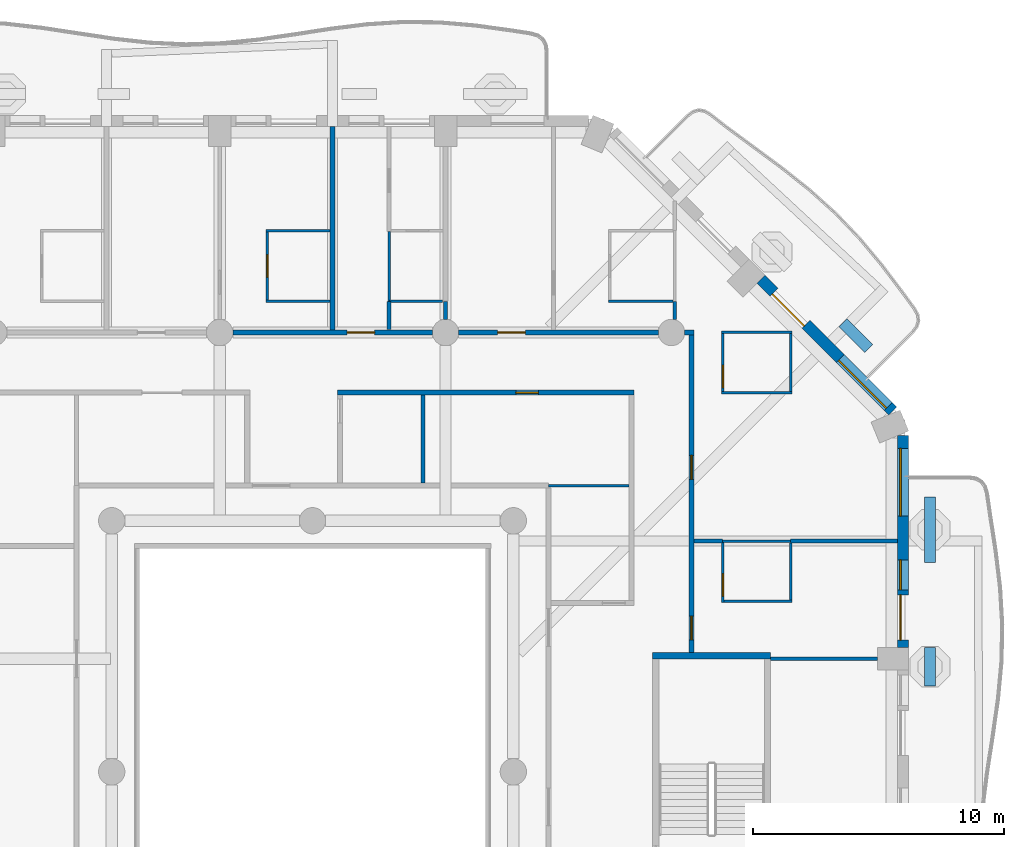
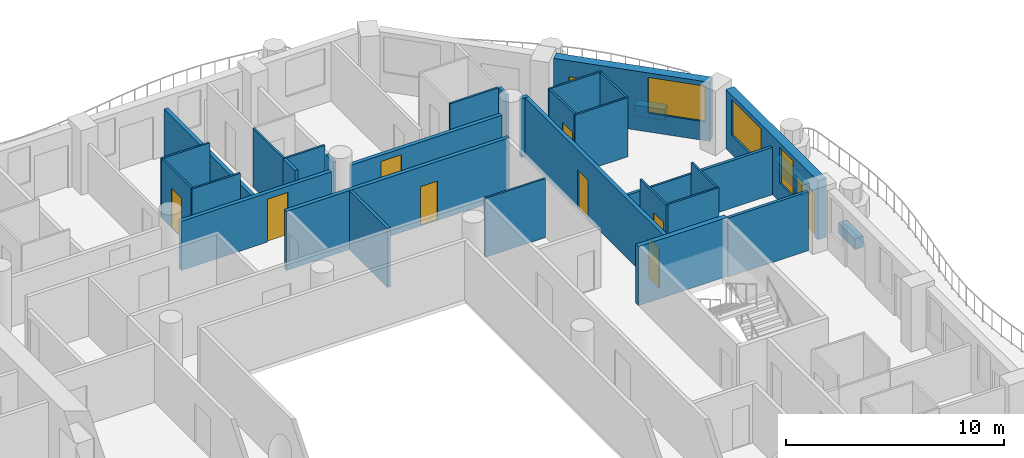
# One storey, part 9 of 20: 34 walls, 10 doors, 3 windows, 13 openings.
"""IFC4 building model written with IfcOpenShell, lengths in metres."""

from ifc_helpers import new_model, si_unit, direction, frame, frame_2d, origin, place, context, subcontext, project, spatial, rectangle, extrude, material, layer, layer_set, type_object, element, fill, save


model = new_model("IFC4")

# Units and contexts
model_context = context("Model", 3, precision=1e-05, world=origin(), true_north=direction((0.0, 1.0)))
body_context = subcontext(model_context, "Body", "Model", "MODEL_VIEW")
ifc_project = project(units=[si_unit("LENGTHUNIT", "METRE"), si_unit("AREAUNIT", "SQUARE_METRE"), si_unit("VOLUMEUNIT", "CUBIC_METRE"), si_unit("PLANEANGLEUNIT", "RADIAN"), si_unit("MASSUNIT", "GRAM", prefix="KILO")], contexts=[model_context])

# Site, building, storey
site_placement = place(None, origin())
site = spatial("IfcSite", under=ifc_project, at=site_placement, CompositionType="ELEMENT")
building_placement = place(site_placement, origin())
building = spatial("IfcBuilding", under=site, at=building_placement, Name="Cypress Arch Tower", CompositionType="ELEMENT")
storey_placement = place(building_placement, frame((0.0, 0.0, 134.699951171875)))
storey = spatial("IfcBuildingStorey", under=building, at=storey_placement, Name="L29", CompositionType="ELEMENT", Elevation=134.699951171875)

# Walls
ifc_material_1 = material(Name="Concrete C40/50, waterproofed", Category="concrete")
ifc_layer_1 = layer(ifc_material_1, 0.449951171875)
ifc_layer_set_1 = layer_set([ifc_layer_1], Name="Balcony planter wall PW450")
wall_type_1 = type_object("IfcWallType", Name="Balcony planter wall PW450", PredefinedType="SOLIDWALL", material=ifc_layer_set_1)
wall_1_placement = place(storey_placement, frame((25.60009765625, 3.42138671875, 0.0), z_axis=(0.0, 0.0, 1.0), x_axis=(0.0, 1.0, 0.0)))
element("IfcWall", 1, at=wall_1_placement, inside=storey, type_object=wall_type_1, Name="Balcony planter wall L29-A06.3", PredefinedType="SOLIDWALL", context=body_context, shape_type="SweptSolid", body=[
    extrude(rectangle(XDim=1.5224609375, YDim=0.449951171875, at=frame_2d((0.76123046875, 0.0))), origin(), (0.0, 0.0, 1.0), 0.60009765625),
])
wall_2_placement = place(storey_placement, frame((25.60009765625, 8.335693359375, 0.0), z_axis=(0.0, 0.0, 1.0), x_axis=(0.0, 1.0, 0.0)))
element("IfcWall", 2, at=wall_2_placement, inside=storey, type_object=wall_type_1, Name="Balcony planter wall L29-A06.4", PredefinedType="SOLIDWALL", context=body_context, shape_type="SweptSolid", body=[
    extrude(rectangle(XDim=2.6142578125, YDim=0.449951171875, at=frame_2d((1.30712890625, 0.0))), origin(), (0.0, 0.0, 1.0), 0.60009765625),
])
wall_3_placement = place(storey_placement, frame((23.150390625, 16.86376953125, 0.0), z_axis=(0.0, 0.0, 1.0), x_axis=(-0.707106781187, 0.707106781187, 0.0)))
element("IfcWall", 3, at=wall_3_placement, inside=storey, type_object=wall_type_1, Name="Balcony planter wall L29-A07.1", PredefinedType="SOLIDWALL", context=body_context, shape_type="SweptSolid", body=[
    extrude(rectangle(XDim=1.44482421875, YDim=0.449951171875, at=frame_2d((0.722412109375, 0.0))), origin(), (0.0, 0.0, 1.0), 0.60009765625),
])

# Wall, openings, door, windows
ifc_material_2 = material(Name="Brick (red buff blend)", Category="masonry")
ifc_layer_2 = layer(ifc_material_2, 0.449951171875)
ifc_layer_set_2 = layer_set([ifc_layer_2], Name="Brick pier and spandrel wall BW450")
wall_type_2 = type_object("IfcWallType", Name="Brick pier and spandrel wall BW450", PredefinedType="SOLIDWALL", material=ifc_layer_set_2)
wall_4_placement = place(storey_placement, frame((24.52490234375, 4.949951171875, 0.0), z_axis=(0.0, 0.0, 1.0), x_axis=(0.0, 1.0, 0.0)))
wall_4 = element("IfcWall", 4, at=wall_4_placement, inside=storey, type_object=wall_type_2, Name="Brick wall L29 A06.3", PredefinedType="SOLIDWALL", context=body_context, shape_type="SweptSolid", body=[
    extrude(rectangle(XDim=8.438720703125, YDim=0.449951171875, at=frame_2d((4.21923828125, 0.0))), origin(), (0.0, 0.0, 1.0), 3.300048828125),
])
opening_1_placement = place(wall_4_placement, frame((0.2939453125, 0.0, 0.0)))
opening_1 = element("IfcOpeningElement", 5, at=opening_1_placement, cuts=wall_4, Name="Opening D-L29-A06.3.1", PredefinedType="OPENING", context=body_context, shape_type="SweptSolid", body=[
    extrude(rectangle(XDim=1.800048828125, YDim=2.39990234375, at=frame_2d((0.89990234375, 1.199951171875))), frame((0.0, 0.23486328125, 0.0), z_axis=(0.0, -1.0, 0.0), x_axis=(1.0, 0.0, 0.0)), (0.0, 0.0, 1.0), 0.469970703125),
])
opening_2_placement = place(wall_4_placement, frame((2.2939453125, 0.0, 1.050048828125)))
opening_2 = element("IfcOpeningElement", 6, at=opening_2_placement, cuts=wall_4, Name="Opening W120HD", PredefinedType="OPENING", context=body_context, shape_type="SweptSolid", body=[
    extrude(rectangle(XDim=1.199951171875, YDim=2.0, at=frame_2d((0.60009765625, 1.0))), frame((0.0, 0.23486328125, 0.0), z_axis=(0.0, -1.0, 0.0), x_axis=(1.0, 0.0, 0.0)), (0.0, 0.0, 1.0), 0.469970703125),
])
opening_3_placement = place(wall_4_placement, frame((5.231689453125, 0.0, 1.050048828125)))
opening_3 = element("IfcOpeningElement", 7, at=opening_3_placement, cuts=wall_4, Name="Opening W270HD", PredefinedType="OPENING", context=body_context, shape_type="SweptSolid", body=[
    extrude(rectangle(XDim=2.699951171875, YDim=2.0, at=frame_2d((1.35009765625, 1.0))), frame((0.0, 0.23486328125, 0.0), z_axis=(0.0, -1.0, 0.0), x_axis=(1.0, 0.0, 0.0)), (0.0, 0.0, 1.0), 0.469970703125),
])
ifc_material_3 = material(Name="Anodised aluminium, bronze finish, laminated low-emissivity double glazing, large-missile impact rated", Category="aluminium")
door_type_1 = type_object("IfcDoorType", Name="Balcony sliding door 1800x2400", OperationType="SLIDING_TO_LEFT", PredefinedType="DOOR", material=ifc_material_3)
door_1_placement = place(opening_1_placement, origin())
door_1 = element("IfcDoor", 8, at=door_1_placement, inside=storey, type_object=door_type_1, Name="Balcony door L29 A06.3.1", OperationType="SLIDING_TO_LEFT", OverallHeight=2.39990234375, OverallWidth=1.800048828125, PredefinedType="DOOR", context=body_context, shape_type="SweptSolid", body=[
    extrude(rectangle(XDim=1.800048828125, YDim=2.39990234375, at=frame_2d((0.89990234375, 1.199951171875))), frame((0.0, 0.1298828125, 0.0), z_axis=(0.0, -1.0, 0.0), x_axis=(1.0, 0.0, 0.0)), (0.0, 0.0, 1.0), 0.050048828125),
])
fill(opening_1, door_1)
ifc_material_4 = material(Name="Anodised aluminium, bronze finish, laminated low-emissivity double glazing, large-missile impact rated", Category="aluminium")
window_type_1 = type_object("IfcWindowType", Name="Window Hotel 1200x2000 debris-rated", PartitioningType="SINGLE_PANEL", PredefinedType="WINDOW", material=ifc_material_4)
window_1_placement = place(opening_2_placement, origin())
window_1 = element("IfcWindow", 9, at=window_1_placement, inside=storey, type_object=window_type_1, Name="Window L29 A06.3.1", OverallHeight=2.0, OverallWidth=1.199951171875, PartitioningType="SINGLE_PANEL", PredefinedType="WINDOW", context=body_context, shape_type="SweptSolid", body=[
    extrude(rectangle(XDim=1.199951171875, YDim=2.0, at=frame_2d((0.60009765625, 1.0))), frame((0.0, 0.135009765625, 0.0), z_axis=(0.0, -1.0, 0.0), x_axis=(1.0, 0.0, 0.0)), (0.0, 0.0, 1.0), 0.06005859375),
])
fill(opening_2, window_1)
ifc_material_5 = material(Name="Anodised aluminium, bronze finish, laminated low-emissivity double glazing, large-missile impact rated", Category="aluminium")
window_type_2 = type_object("IfcWindowType", Name="Window Hotel 2700x2000 debris-rated", PartitioningType="SINGLE_PANEL", PredefinedType="WINDOW", material=ifc_material_5)
window_2_placement = place(opening_3_placement, origin())
window_2 = element("IfcWindow", 10, at=window_2_placement, inside=storey, type_object=window_type_2, Name="Window L29 A06.3.2", OverallHeight=2.0, OverallWidth=2.699951171875, PartitioningType="SINGLE_PANEL", PredefinedType="WINDOW", context=body_context, shape_type="SweptSolid", body=[
    extrude(rectangle(XDim=2.699951171875, YDim=2.0, at=frame_2d((1.35009765625, 1.0))), frame((0.0, 0.135009765625, 0.0), z_axis=(0.0, -1.0, 0.0), x_axis=(1.0, 0.0, 0.0)), (0.0, 0.0, 1.0), 0.06005859375),
])
fill(opening_3, window_2)

# Wall, openings, door, window
wall_5_placement = place(storey_placement, frame((24.11474609375, 14.379150390625, 0.0), z_axis=(0.0, 0.0, 1.0), x_axis=(-0.707106781187, 0.707106781187, 0.0)))
wall_5 = element("IfcWall", 11, at=wall_5_placement, inside=storey, type_object=wall_type_2, Name="Brick wall L29 A07.0", PredefinedType="SOLIDWALL", context=body_context, shape_type="SweptSolid", body=[
    extrude(rectangle(XDim=7.423828125, YDim=0.449951171875, at=frame_2d((3.7119140625, 0.0))), origin(), (0.0, 0.0, 1.0), 3.300048828125),
])
opening_4_placement = place(wall_5_placement, frame((0.253173828125, 0.0, 1.050048828125)))
opening_4 = element("IfcOpeningElement", 12, at=opening_4_placement, cuts=wall_5, Name="Opening W270HD", PredefinedType="OPENING", context=body_context, shape_type="SweptSolid", body=[
    extrude(rectangle(XDim=2.699951171875, YDim=2.0, at=frame_2d((1.35009765625, 1.0))), frame((0.0, 0.23486328125, 0.0), z_axis=(0.0, -1.0, 0.0), x_axis=(1.0, 0.0, 0.0)), (0.0, 0.0, 1.0), 0.469970703125),
])
opening_5_placement = place(wall_5_placement, frame((4.8837890625, 0.0, 0.0)))
opening_5 = element("IfcOpeningElement", 13, at=opening_5_placement, cuts=wall_5, Name="Opening D-L29-A07.0.2", PredefinedType="OPENING", context=body_context, shape_type="SweptSolid", body=[
    extrude(rectangle(XDim=1.800048828125, YDim=2.39990234375, at=frame_2d((0.89990234375, 1.199951171875))), frame((0.0, 0.23486328125, 0.0), z_axis=(0.0, -1.0, 0.0), x_axis=(1.0, 0.0, 0.0)), (0.0, 0.0, 1.0), 0.469970703125),
])
door_2_placement = place(opening_5_placement, origin())
door_2 = element("IfcDoor", 14, at=door_2_placement, inside=storey, type_object=door_type_1, Name="Balcony door L29 A07.0.2", OperationType="SLIDING_TO_LEFT", OverallHeight=2.39990234375, OverallWidth=1.800048828125, PredefinedType="DOOR", context=body_context, shape_type="SweptSolid", body=[
    extrude(rectangle(XDim=1.800048828125, YDim=2.39990234375, at=frame_2d((0.89990234375, 1.199951171875))), frame((0.0, 0.1298828125, 0.0), z_axis=(0.0, -1.0, 0.0), x_axis=(1.0, 0.0, 0.0)), (0.0, 0.0, 1.0), 0.050048828125),
])
fill(opening_5, door_2)
window_3_placement = place(opening_4_placement, origin())
window_3 = element("IfcWindow", 15, at=window_3_placement, inside=storey, type_object=window_type_2, Name="Window L29 A07.0.1", OverallHeight=2.0, OverallWidth=2.699951171875, PartitioningType="SINGLE_PANEL", PredefinedType="WINDOW", context=body_context, shape_type="SweptSolid", body=[
    extrude(rectangle(XDim=2.699951171875, YDim=2.0, at=frame_2d((1.35009765625, 1.0))), frame((0.0, 0.135009765625, 0.0), z_axis=(0.0, -1.0, 0.0), x_axis=(1.0, 0.0, 0.0)), (0.0, 0.0, 1.0), 0.06005859375),
])
fill(opening_4, window_3)

# Wall, opening, door
ifc_material_6 = material(Name="Concrete blockwork, plastered, rated", Category="masonry")
ifc_layer_3 = layer(ifc_material_6, 0.199951171875)
ifc_layer_set_3 = layer_set([ifc_layer_3], Name="Corridor wall FW200")
wall_type_3 = type_object("IfcWallType", Name="Corridor wall FW200", PredefinedType="PARTITIONING", material=ifc_layer_set_3)
wall_6_placement = place(storey_placement, frame((-2.175048828125, 17.5, 0.0), z_axis=(0.0, 0.0, 1.0), x_axis=(1.0, 0.0, 0.0)))
wall_6 = element("IfcWall", 16, at=wall_6_placement, inside=storey, type_object=wall_type_3, Name="Corridor wall", PredefinedType="PARTITIONING", context=body_context, shape_type="SweptSolid", body=[
    extrude(rectangle(XDim=7.949951171875, YDim=0.199951171875, at=frame_2d((3.97509765625, 0.0))), origin(), (0.0, 0.0, 1.0), 2.75),
])
opening_6_placement = place(wall_6_placement, frame((4.550048828125, 0.0, 0.0)))
opening_6 = element("IfcOpeningElement", 17, at=opening_6_placement, cuts=wall_6, Name="Opening D01", PredefinedType="OPENING", context=body_context, shape_type="SweptSolid", body=[
    extrude(rectangle(XDim=1.10009765625, YDim=2.39990234375, at=frame_2d((0.550048828125, 1.199951171875))), frame((0.0, 0.10986328125, 0.0), z_axis=(0.0, -1.0, 0.0), x_axis=(1.0, 0.0, 0.0)), (0.0, 0.0, 1.0), 0.219970703125),
])
ifc_material_7 = material(Name="Timber flush door, fire resisting, self-closing", Category="wood")
door_type_2 = type_object("IfcDoorType", Name="Unit entrance door D01 1100x2400", OperationType="SINGLE_SWING_LEFT", PredefinedType="DOOR", material=ifc_material_7)
door_3_placement = place(opening_6_placement, origin())
door_3 = element("IfcDoor", 18, at=door_3_placement, inside=storey, type_object=door_type_2, Name="Unit entrance door", OperationType="SINGLE_SWING_LEFT", OverallHeight=2.39990234375, OverallWidth=1.10009765625, PredefinedType="DOOR", context=body_context, shape_type="SweptSolid", body=[
    extrude(rectangle(XDim=1.10009765625, YDim=2.39990234375, at=frame_2d((0.550048828125, 1.199951171875))), frame((0.0, 0.02490234375, 0.0), z_axis=(0.0, -1.0, 0.0), x_axis=(1.0, 0.0, 0.0)), (0.0, 0.0, 1.0), 0.050048828125),
])
fill(opening_6, door_3)

wall_7_placement = place(storey_placement, frame((6.824951171875, 17.5, 0.0), z_axis=(0.0, 0.0, 1.0), x_axis=(1.0, 0.0, 0.0)))
wall_7 = element("IfcWall", 19, at=wall_7_placement, inside=storey, type_object=wall_type_3, Name="Corridor wall", PredefinedType="PARTITIONING", context=body_context, shape_type="SweptSolid", body=[
    extrude(rectangle(XDim=7.949951171875, YDim=0.199951171875, at=frame_2d((3.97509765625, 0.0))), origin(), (0.0, 0.0, 1.0), 2.75),
])
opening_7_placement = place(wall_7_placement, frame((1.550048828125, 0.0, 0.0)))
opening_7 = element("IfcOpeningElement", 20, at=opening_7_placement, cuts=wall_7, Name="Opening D01", PredefinedType="OPENING", context=body_context, shape_type="SweptSolid", body=[
    extrude(rectangle(XDim=1.10009765625, YDim=2.39990234375, at=frame_2d((0.550048828125, 1.199951171875))), frame((0.0, 0.10986328125, 0.0), z_axis=(0.0, -1.0, 0.0), x_axis=(1.0, 0.0, 0.0)), (0.0, 0.0, 1.0), 0.219970703125),
])
door_4_placement = place(opening_7_placement, origin())
door_4 = element("IfcDoor", 21, at=door_4_placement, inside=storey, type_object=door_type_2, Name="Unit entrance door", OperationType="SINGLE_SWING_RIGHT", OverallHeight=2.39990234375, OverallWidth=1.10009765625, PredefinedType="DOOR", context=body_context, shape_type="SweptSolid", body=[
    extrude(rectangle(XDim=1.10009765625, YDim=2.39990234375, at=frame_2d((0.550048828125, 1.199951171875))), frame((0.0, 0.02490234375, 0.0), z_axis=(0.0, -1.0, 0.0), x_axis=(1.0, 0.0, 0.0)), (0.0, 0.0, 1.0), 0.050048828125),
])
fill(opening_7, door_4)

# Wall
wall_8_placement = place(storey_placement, frame((15.824951171875, 17.5, 0.0), z_axis=(0.0, 0.0, 1.0), x_axis=(1.0, 0.0, 0.0)))
element("IfcWall", 22, at=wall_8_placement, inside=storey, type_object=wall_type_3, Name="Corridor wall", PredefinedType="PARTITIONING", context=body_context, shape_type="SweptSolid", body=[
    extrude(rectangle(XDim=0.375, YDim=0.199951171875, at=frame_2d((0.1875, 0.0))), origin(), (0.0, 0.0, 1.0), 3.300048828125),
])

# Wall, opening, door
wall_9_placement = place(storey_placement, frame((2.0, 15.10009765625, 0.0), z_axis=(0.0, 0.0, 1.0), x_axis=(1.0, 0.0, 0.0)))
wall_9 = element("IfcWall", 23, at=wall_9_placement, inside=storey, type_object=wall_type_3, Name="Corridor wall", PredefinedType="PARTITIONING", context=body_context, shape_type="SweptSolid", body=[
    extrude(rectangle(XDim=11.800048828125, YDim=0.199951171875, at=frame_2d((5.89990234375, 0.0))), origin(), (0.0, 0.0, 1.0), 3.300048828125),
])
opening_8_placement = place(wall_9_placement, frame((7.10009765625, 0.0, 0.0)))
opening_8 = element("IfcOpeningElement", 24, at=opening_8_placement, cuts=wall_9, Name="Opening D05", PredefinedType="OPENING", context=body_context, shape_type="SweptSolid", body=[
    extrude(rectangle(XDim=0.89990234375, YDim=2.199951171875, at=frame_2d((0.449951171875, 1.10009765625))), frame((0.0, 0.10986328125, 0.0), z_axis=(0.0, -1.0, 0.0), x_axis=(1.0, 0.0, 0.0)), (0.0, 0.0, 1.0), 0.219970703125),
])
ifc_material_8 = material(Name="Timber flush door", Category="wood")
door_type_3 = type_object("IfcDoorType", Name="Service door D05 900x2200", OperationType="SINGLE_SWING_LEFT", PredefinedType="DOOR", material=ifc_material_8)
door_5_placement = place(opening_8_placement, origin())
door_5 = element("IfcDoor", 25, at=door_5_placement, inside=storey, type_object=door_type_3, Name="Service door", OperationType="SINGLE_SWING_LEFT", OverallHeight=2.199951171875, OverallWidth=0.89990234375, PredefinedType="DOOR", context=body_context, shape_type="SweptSolid", body=[
    extrude(rectangle(XDim=0.89990234375, YDim=2.199951171875, at=frame_2d((0.449951171875, 1.10009765625))), frame((0.0, 0.02490234375, 0.0), z_axis=(0.0, -1.0, 0.0), x_axis=(1.0, 0.0, 0.0)), (0.0, 0.0, 1.0), 0.050048828125),
])
fill(opening_8, door_5)

# Wall, openings, doors
wall_10_placement = place(storey_placement, frame((16.10009765625, 4.75, 0.0), z_axis=(0.0, 0.0, 1.0), x_axis=(0.0, 1.0, 0.0)))
wall_10 = element("IfcWall", 26, at=wall_10_placement, inside=storey, type_object=wall_type_3, Name="Corridor wall", PredefinedType="PARTITIONING", context=body_context, shape_type="SweptSolid", body=[
    extrude(rectangle(XDim=12.64990234375, YDim=0.199951171875, at=frame_2d((6.324951171875, 0.0))), origin(), (0.0, 0.0, 1.0), 3.300048828125),
])
opening_9_placement = place(wall_10_placement, frame((0.5, 0.0, 0.0)))
opening_9 = element("IfcOpeningElement", 27, at=opening_9_placement, cuts=wall_10, Name="Opening D02", PredefinedType="OPENING", context=body_context, shape_type="SweptSolid", body=[
    extrude(rectangle(XDim=0.949951171875, YDim=2.199951171875, at=frame_2d((0.47509765625, 1.10009765625))), frame((0.0, 0.10986328125, 0.0), z_axis=(0.0, -1.0, 0.0), x_axis=(1.0, 0.0, 0.0)), (0.0, 0.0, 1.0), 0.219970703125),
])
opening_10_placement = place(wall_10_placement, frame((6.89990234375, 0.0, 0.0)))
opening_10 = element("IfcOpeningElement", 28, at=opening_10_placement, cuts=wall_10, Name="Opening D02", PredefinedType="OPENING", context=body_context, shape_type="SweptSolid", body=[
    extrude(rectangle(XDim=0.949951171875, YDim=2.199951171875, at=frame_2d((0.47509765625, 1.10009765625))), frame((0.0, 0.10986328125, 0.0), z_axis=(0.0, -1.0, 0.0), x_axis=(1.0, 0.0, 0.0)), (0.0, 0.0, 1.0), 0.219970703125),
])
ifc_material_9 = material(Name="Timber flush door, fire resisting", Category="wood")
door_type_4 = type_object("IfcDoorType", Name="Room door D02 950x2200", OperationType="SINGLE_SWING_LEFT", PredefinedType="DOOR", material=ifc_material_9)
door_6_placement = place(opening_9_placement, origin())
door_6 = element("IfcDoor", 29, at=door_6_placement, inside=storey, type_object=door_type_4, Name="Room door", OperationType="SINGLE_SWING_RIGHT", OverallHeight=2.199951171875, OverallWidth=0.949951171875, PredefinedType="DOOR", context=body_context, shape_type="SweptSolid", body=[
    extrude(rectangle(XDim=0.949951171875, YDim=2.199951171875, at=frame_2d((0.47509765625, 1.10009765625))), frame((0.0, 0.02490234375, 0.0), z_axis=(0.0, -1.0, 0.0), x_axis=(1.0, 0.0, 0.0)), (0.0, 0.0, 1.0), 0.050048828125),
])
fill(opening_9, door_6)
door_7_placement = place(opening_10_placement, origin())
door_7 = element("IfcDoor", 30, at=door_7_placement, inside=storey, type_object=door_type_4, Name="Room door", OperationType="SINGLE_SWING_RIGHT", OverallHeight=2.199951171875, OverallWidth=0.949951171875, PredefinedType="DOOR", context=body_context, shape_type="SweptSolid", body=[
    extrude(rectangle(XDim=0.949951171875, YDim=2.199951171875, at=frame_2d((0.47509765625, 1.10009765625))), frame((0.0, 0.02490234375, 0.0), z_axis=(0.0, -1.0, 0.0), x_axis=(1.0, 0.0, 0.0)), (0.0, 0.0, 1.0), 0.050048828125),
])
fill(opening_10, door_7)

# Walls
ifc_material_10 = material(Name="Blockwork, plastered both sides", Category="masonry")
ifc_layer_4 = layer(ifc_material_10, 0.14990234375)
ifc_layer_set_4 = layer_set([ifc_layer_4], Name="Partition PW150")
wall_type_4 = type_object("IfcWallType", Name="Partition PW150", PredefinedType="PARTITIONING", material=ifc_layer_set_4)
wall_11_placement = place(storey_placement, frame((4.050048828125, 17.6201171875, 0.0), z_axis=(0.0, 0.0, 1.0), x_axis=(0.0, 1.0, 0.0)))
element("IfcWall", 31, at=wall_11_placement, inside=storey, type_object=wall_type_4, Name="Partition", PredefinedType="PARTITIONING", context=body_context, shape_type="SweptSolid", body=[
    extrude(rectangle(XDim=1.10986328125, YDim=0.14990234375, at=frame_2d((0.554931640625, 0.0))), origin(), (0.0, 0.0, 1.0), 3.300048828125),
])
wall_12_placement = place(storey_placement, frame((5.39990234375, 11.5, 0.0), z_axis=(0.0, 0.0, 1.0), x_axis=(0.0, 1.0, 0.0)))
element("IfcWall", 32, at=wall_12_placement, inside=storey, type_object=wall_type_4, Name="Partition", PredefinedType="PARTITIONING", context=body_context, shape_type="SweptSolid", body=[
    extrude(rectangle(XDim=3.5, YDim=0.14990234375, at=frame_2d((1.75, 0.0))), origin(), (0.0, 0.0, 1.0), 3.300048828125),
])
wall_13_placement = place(storey_placement, frame((6.300048828125, 18.02490234375, 0.0), z_axis=(0.0, 0.0, 1.0), x_axis=(0.0, 1.0, 0.0)))
element("IfcWall", 33, at=wall_13_placement, inside=storey, type_object=wall_type_4, Name="Partition", PredefinedType="PARTITIONING", context=body_context, shape_type="SweptSolid", body=[
    extrude(rectangle(XDim=0.705078125, YDim=0.14990234375, at=frame_2d((0.3525390625, 0.0))), origin(), (0.0, 0.0, 1.0), 2.75),
])
wall_14_placement = place(storey_placement, frame((15.431884765625, 18.015869140625, 0.0), z_axis=(0.0, 0.0, 1.0), x_axis=(0.0, 1.0, 0.0)))
element("IfcWall", 34, at=wall_14_placement, inside=storey, type_object=wall_type_4, Name="Partition", PredefinedType="PARTITIONING", context=body_context, shape_type="SweptSolid", body=[
    extrude(rectangle(XDim=0.714111328125, YDim=0.14990234375, at=frame_2d((0.35693359375, 0.0))), origin(), (0.0, 0.0, 1.0), 3.300048828125),
])
wall_15_placement = place(storey_placement, frame((16.199951171875, 9.18994140625, 0.0), z_axis=(0.0, 0.0, 1.0), x_axis=(1.0, 0.0, 0.0)))
element("IfcWall", 35, at=wall_15_placement, inside=storey, type_object=wall_type_4, Name="Partition", PredefinedType="PARTITIONING", context=body_context, shape_type="SweptSolid", body=[
    extrude(rectangle(XDim=1.130126953125, YDim=0.14990234375, at=frame_2d((0.56494140625, 0.0))), origin(), (0.0, 0.0, 1.0), 2.650146484375),
])
wall_16_placement = place(storey_placement, frame((19.25, 4.5, 0.0), z_axis=(0.0, 0.0, 1.0), x_axis=(1.0, 0.0, 0.0)))
element("IfcWall", 36, at=wall_16_placement, inside=storey, type_object=wall_type_4, Name="Partition", PredefinedType="PARTITIONING", context=body_context, shape_type="SweptSolid", body=[
    extrude(rectangle(XDim=4.25, YDim=0.14990234375, at=frame_2d((2.125, 0.0))), origin(), (0.0, 0.0, 1.0), 3.300048828125),
])
wall_17_placement = place(storey_placement, frame((20.050048828125, 9.18994140625, 0.0), z_axis=(0.0, 0.0, 1.0), x_axis=(1.0, 0.0, 0.0)))
element("IfcWall", 37, at=wall_17_placement, inside=storey, type_object=wall_type_4, Name="Partition", PredefinedType="PARTITIONING", context=body_context, shape_type="SweptSolid", body=[
    extrude(rectangle(XDim=4.25, YDim=0.14990234375, at=frame_2d((2.125, 0.0))), origin(), (0.0, 0.0, 1.0), 2.650146484375),
])
ifc_material_11 = material(Name="Dense blockwork, plastered both sides, acoustic and rated", Category="masonry")
ifc_layer_5 = layer(ifc_material_11, 0.199951171875)
ifc_layer_set_5 = layer_set([ifc_layer_5], Name="Party wall PW200")
wall_type_5 = type_object("IfcWallType", Name="Party wall PW200", PredefinedType="PARTITIONING", material=ifc_layer_set_5)
wall_18_placement = place(storey_placement, frame((1.800048828125, 17.60009765625, 0.0), z_axis=(0.0, 0.0, 1.0), x_axis=(0.0, 1.0, 0.0)))
element("IfcWall", 38, at=wall_18_placement, inside=storey, type_object=wall_type_5, Name="Party wall", PredefinedType="PARTITIONING", context=body_context, shape_type="SweptSolid", body=[
    extrude(rectangle(XDim=8.099853515625, YDim=0.199951171875, at=frame_2d((4.0498046875, 0.0))), origin(), (0.0, 0.0, 1.0), 2.650146484375),
])
ifc_material_12 = material(Name="Concrete C50/60", Category="concrete")
ifc_layer_6 = layer(ifc_material_12, 0.25)
ifc_layer_set_6 = layer_set([ifc_layer_6], Name="Stair enclosure wall SW250")
wall_type_6 = type_object("IfcWallType", Name="Stair enclosure wall SW250", PredefinedType="SHEAR", material=ifc_layer_set_6)
wall_19_placement = place(storey_placement, frame((14.550048828125, 4.625, 0.0), z_axis=(0.0, 0.0, 1.0), x_axis=(1.0, 0.0, 0.0)))
element("IfcWall", 39, at=wall_19_placement, inside=storey, type_object=wall_type_6, Name="Stair enclosure wall", PredefinedType="SHEAR", context=body_context, shape_type="SweptSolid", body=[
    extrude(rectangle(XDim=4.699951171875, YDim=0.25, at=frame_2d((2.35009765625, 0.0))), origin(), (0.0, 0.0, 1.0), 3.300048828125),
])

# Wall, opening, door
ifc_material_13 = material(Name="Moisture resistant board on steel studs, tiled", Category="steel")
ifc_layer_7 = layer(ifc_material_13, 0.10009765625)
ifc_layer_set_7 = layer_set([ifc_layer_7], Name="Wet wall PW100")
wall_type_7 = type_object("IfcWallType", Name="Wet wall PW100", PredefinedType="PARTITIONING", material=ifc_layer_set_7)
wall_20_placement = place(storey_placement, frame((-0.7958984375, 18.800048828125, 0.0), z_axis=(0.0, 0.0, 1.0), x_axis=(0.0, 1.0, 0.0)))
wall_20 = element("IfcWall", 40, at=wall_20_placement, inside=storey, type_object=wall_type_7, Name="Wet wall", PredefinedType="PARTITIONING", context=body_context, shape_type="SweptSolid", body=[
    extrude(rectangle(XDim=2.699951171875, YDim=0.10009765625, at=frame_2d((1.35009765625, 0.0))), origin(), (0.0, 0.0, 1.0), 3.300048828125),
])
opening_11_placement = place(wall_20_placement, frame((0.89990234375, 0.0, 0.0)))
opening_11 = element("IfcOpeningElement", 41, at=opening_11_placement, cuts=wall_20, Name="Opening D03", PredefinedType="OPENING", context=body_context, shape_type="SweptSolid", body=[
    extrude(rectangle(XDim=0.89990234375, YDim=2.199951171875, at=frame_2d((0.449951171875, 1.10009765625))), frame((0.0, 0.06005859375, 0.0), z_axis=(0.0, -1.0, 0.0), x_axis=(1.0, 0.0, 0.0)), (0.0, 0.0, 1.0), 0.1201171875),
])
ifc_material_14 = material(Name="Timber flush door, moisture resistant", Category="wood")
door_type_5 = type_object("IfcDoorType", Name="Bathroom door D03 900x2200", OperationType="SINGLE_SWING_LEFT", PredefinedType="DOOR", material=ifc_material_14)
door_8_placement = place(opening_11_placement, origin())
door_8 = element("IfcDoor", 42, at=door_8_placement, inside=storey, type_object=door_type_5, Name="Bathroom door", OperationType="SINGLE_SWING_LEFT", OverallHeight=2.199951171875, OverallWidth=0.89990234375, PredefinedType="DOOR", context=body_context, shape_type="SweptSolid", body=[
    extrude(rectangle(XDim=0.89990234375, YDim=2.199951171875, at=frame_2d((0.449951171875, 1.10009765625))), frame((0.0, 0.02490234375, 0.0), z_axis=(0.0, -1.0, 0.0), x_axis=(1.0, 0.0, 0.0)), (0.0, 0.0, 1.0), 0.050048828125),
])
fill(opening_11, door_8)

# Walls
for number, where, z_axis, x_axis, name in (
    (43, (-0.845947265625, 18.75, 0.0), (0.0, 0.0, 1.0), (1.0, 0.0, 0.0), "Wet wall"),
    (44, (-0.845947265625, 21.550048828125, 0.0), (0.0, 0.0, 1.0), (1.0, 0.0, 0.0), "Wet wall"),
):
    element("IfcWall", number, at=place(storey_placement, frame(where, z_axis=z_axis, x_axis=x_axis)), inside=storey, type_object=wall_type_7, Name=name, PredefinedType="PARTITIONING", context=body_context, shape_type="SweptSolid", body=[
        extrude(rectangle(XDim=2.5458984375, YDim=0.10009765625, at=frame_2d((1.27294921875, 0.0))), origin(), (0.0, 0.0, 1.0), 3.300048828125),
    ])
wall_21_placement = place(storey_placement, frame((4.050048828125, 18.72998046875, 0.0), z_axis=(0.0, 0.0, 1.0), x_axis=(0.0, 1.0, 0.0)))
element("IfcWall", 45, at=wall_21_placement, inside=storey, type_object=wall_type_7, Name="Wet wall", PredefinedType="PARTITIONING", context=body_context, shape_type="SweptSolid", body=[
    extrude(rectangle(XDim=2.800048828125, YDim=0.10009765625, at=frame_2d((1.39990234375, 0.0))), origin(), (0.0, 0.0, 1.0), 3.300048828125),
])
wall_22_placement = place(storey_placement, frame((4.070068359375, 18.75, 0.0), z_axis=(0.0, 0.0, 1.0), x_axis=(1.0, 0.0, 0.0)))
element("IfcWall", 46, at=wall_22_placement, inside=storey, type_object=wall_type_7, Name="Wet wall", PredefinedType="PARTITIONING", context=body_context, shape_type="SweptSolid", body=[
    extrude(rectangle(XDim=2.10986328125, YDim=0.10009765625, at=frame_2d((1.054931640625, 0.0))), origin(), (0.0, 0.0, 1.0), 3.300048828125),
])
wall_23_placement = place(storey_placement, frame((10.39990234375, 11.39990234375, 0.0), z_axis=(0.0, 0.0, 1.0), x_axis=(1.0, 0.0, 0.0)))
element("IfcWall", 47, at=wall_23_placement, inside=storey, type_object=wall_type_7, Name="Wet wall", PredefinedType="PARTITIONING", context=body_context, shape_type="SweptSolid", body=[
    extrude(rectangle(XDim=3.2001953125, YDim=0.10009765625, at=frame_2d((1.60009765625, 0.0))), origin(), (0.0, 0.0, 1.0), 3.300048828125),
])
wall_24_placement = place(storey_placement, frame((12.785888671875, 18.75, 0.0), z_axis=(0.0, 0.0, 1.0), x_axis=(1.0, 0.0, 0.0)))
element("IfcWall", 48, at=wall_24_placement, inside=storey, type_object=wall_type_7, Name="Wet wall", PredefinedType="PARTITIONING", context=body_context, shape_type="SweptSolid", body=[
    extrude(rectangle(XDim=2.571044921875, YDim=0.10009765625, at=frame_2d((1.28564453125, 0.0))), origin(), (0.0, 0.0, 1.0), 3.300048828125),
])
wall_25_placement = place(storey_placement, frame((17.330078125, 9.18994140625, 0.0), z_axis=(0.0, 0.0, 1.0), x_axis=(1.0, 0.0, 0.0)))
element("IfcWall", 49, at=wall_25_placement, inside=storey, type_object=wall_type_7, Name="Wet wall", PredefinedType="PARTITIONING", context=body_context, shape_type="SweptSolid", body=[
    extrude(rectangle(XDim=2.719970703125, YDim=0.10009765625, at=frame_2d((1.35986328125, 0.0))), origin(), (0.0, 0.0, 1.0), 2.650146484375),
])

# Wall, opening, door
wall_26_placement = place(storey_placement, frame((17.35009765625, 9.139892578125, 0.0), z_axis=(0.0, 0.0, 1.0), x_axis=(0.000407580973, -0.999999916939, 0.0)))
wall_26 = element("IfcWall", 50, at=wall_26_placement, inside=storey, type_object=wall_type_7, Name="Wet wall", PredefinedType="PARTITIONING", context=body_context, shape_type="SweptSolid", body=[
    extrude(rectangle(XDim=2.39599609375, YDim=0.10009765625, at=frame_2d((1.197998046875, 0.0))), origin(), (0.0, 0.0, 1.0), 3.300048828125),
])
opening_12_placement = place(wall_26_placement, frame((1.25, 0.0, 0.0)))
opening_12 = element("IfcOpeningElement", 51, at=opening_12_placement, cuts=wall_26, Name="Opening D03", PredefinedType="OPENING", context=body_context, shape_type="SweptSolid", body=[
    extrude(rectangle(XDim=0.89990234375, YDim=2.199951171875, at=frame_2d((0.449951171875, 1.10009765625))), frame((0.0, 0.06005859375, 0.0), z_axis=(0.0, -1.0, 0.0), x_axis=(1.0, 0.0, 0.0)), (0.0, 0.0, 1.0), 0.1201171875),
])
door_9_placement = place(opening_12_placement, origin())
door_9 = element("IfcDoor", 52, at=door_9_placement, inside=storey, type_object=door_type_5, Name="Bathroom door", OperationType="SINGLE_SWING_RIGHT", OverallHeight=2.199951171875, OverallWidth=0.89990234375, PredefinedType="DOOR", context=body_context, shape_type="SweptSolid", body=[
    extrude(rectangle(XDim=0.89990234375, YDim=2.199951171875, at=frame_2d((0.449951171875, 1.10009765625))), frame((0.0, 0.02490234375, 0.0), z_axis=(0.0, -1.0, 0.0), x_axis=(1.0, 0.0, 0.0)), (0.0, 0.0, 1.0), 0.050048828125),
])
fill(opening_12, door_9)

wall_27_placement = place(storey_placement, frame((17.35009765625, 15.14990234375, 0.0), z_axis=(0.0, 0.0, 1.0), x_axis=(0.0, 1.0, 0.0)))
wall_27 = element("IfcWall", 53, at=wall_27_placement, inside=storey, type_object=wall_type_7, Name="Wet wall", PredefinedType="PARTITIONING", context=body_context, shape_type="SweptSolid", body=[
    extrude(rectangle(XDim=2.300048828125, YDim=0.10009765625, at=frame_2d((1.14990234375, 0.0))), origin(), (0.0, 0.0, 1.0), 3.300048828125),
])
opening_13_placement = place(wall_27_placement, frame((0.14990234375, 0.0, 0.0)))
opening_13 = element("IfcOpeningElement", 54, at=opening_13_placement, cuts=wall_27, Name="Opening D03", PredefinedType="OPENING", context=body_context, shape_type="SweptSolid", body=[
    extrude(rectangle(XDim=0.89990234375, YDim=2.199951171875, at=frame_2d((0.449951171875, 1.10009765625))), frame((0.0, 0.06005859375, 0.0), z_axis=(0.0, -1.0, 0.0), x_axis=(1.0, 0.0, 0.0)), (0.0, 0.0, 1.0), 0.1201171875),
])
door_10_placement = place(opening_13_placement, origin())
door_10 = element("IfcDoor", 55, at=door_10_placement, inside=storey, type_object=door_type_5, Name="Bathroom door", OperationType="SINGLE_SWING_RIGHT", OverallHeight=2.199951171875, OverallWidth=0.89990234375, PredefinedType="DOOR", context=body_context, shape_type="SweptSolid", body=[
    extrude(rectangle(XDim=0.89990234375, YDim=2.199951171875, at=frame_2d((0.449951171875, 1.10009765625))), frame((0.0, 0.02490234375, 0.0), z_axis=(0.0, -1.0, 0.0), x_axis=(1.0, 0.0, 0.0)), (0.0, 0.0, 1.0), 0.050048828125),
])
fill(opening_13, door_10)

# Walls
for number, where, z_axis, x_axis, name in (
    (56, (17.300048828125, 15.10009765625, 0.0), (0.0, 0.0, 1.0), (1.0, 0.0, 0.0), "Wet wall"),
    (57, (17.300048828125, 17.5, 0.0), (0.0, 0.0, 1.0), (1.0, 0.0, 0.0), "Wet wall"),
):
    element("IfcWall", number, at=place(storey_placement, frame(where, z_axis=z_axis, x_axis=x_axis)), inside=storey, type_object=wall_type_7, Name=name, PredefinedType="PARTITIONING", context=body_context, shape_type="SweptSolid", body=[
        extrude(rectangle(XDim=2.800048828125, YDim=0.10009765625, at=frame_2d((1.39990234375, 0.0))), origin(), (0.0, 0.0, 1.0), 3.300048828125),
    ])
wall_28_placement = place(storey_placement, frame((17.40087890625, 6.7939453125, 0.0), z_axis=(0.0, 0.0, 1.0), x_axis=(0.9999999346, 0.000361663629, 0.0)))
element("IfcWall", 58, at=wall_28_placement, inside=storey, type_object=wall_type_7, Name="Wet wall", PredefinedType="PARTITIONING", context=body_context, shape_type="SweptSolid", body=[
    extrude(rectangle(XDim=2.7001953125, YDim=0.10009765625, at=frame_2d((1.35009765625, 0.0))), origin(), (0.0, 0.0, 1.0), 3.300048828125),
])
wall_29_placement = place(storey_placement, frame((20.050048828125, 9.114990234375, 0.0), z_axis=(0.0, 0.0, 1.0), x_axis=(0.000430200003, -0.999999907464, 0.0)))
element("IfcWall", 59, at=wall_29_placement, inside=storey, type_object=wall_type_7, Name="Wet wall", PredefinedType="PARTITIONING", context=body_context, shape_type="SweptSolid", body=[
    extrude(rectangle(XDim=2.27001953125, YDim=0.10009765625, at=frame_2d((1.135009765625, 0.0))), origin(), (0.0, 0.0, 1.0), 3.300048828125),
])
wall_30_placement = place(storey_placement, frame((20.050048828125, 15.14990234375, 0.0), z_axis=(0.0, 0.0, 1.0), x_axis=(0.0, 1.0, 0.0)))
element("IfcWall", 60, at=wall_30_placement, inside=storey, type_object=wall_type_7, Name="Wet wall", PredefinedType="PARTITIONING", context=body_context, shape_type="SweptSolid", body=[
    extrude(rectangle(XDim=2.300048828125, YDim=0.10009765625, at=frame_2d((1.14990234375, 0.0))), origin(), (0.0, 0.0, 1.0), 3.300048828125),
])

save(model, "model.ifc")
